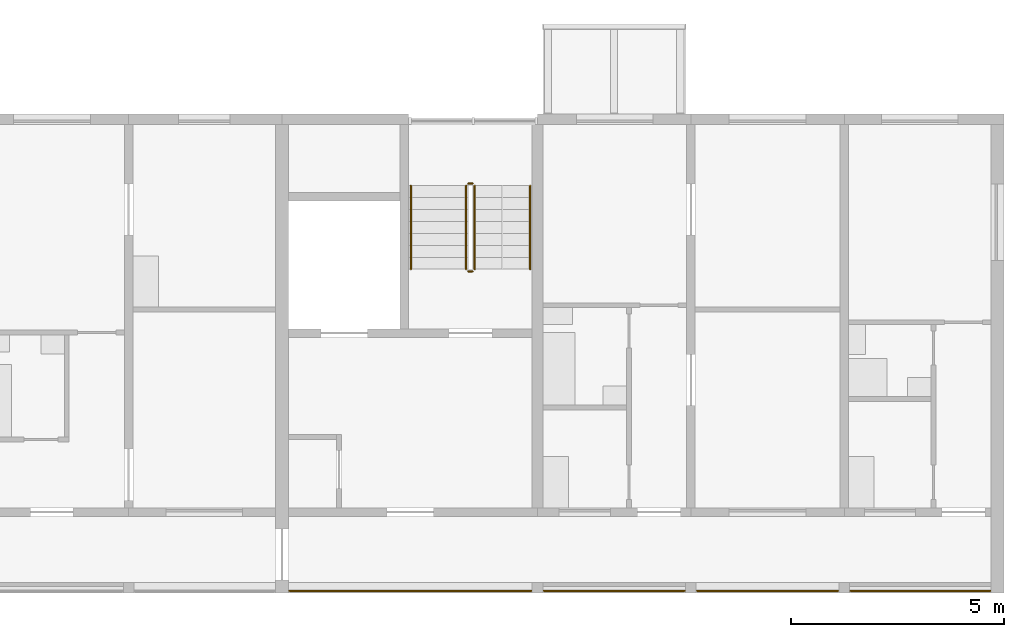
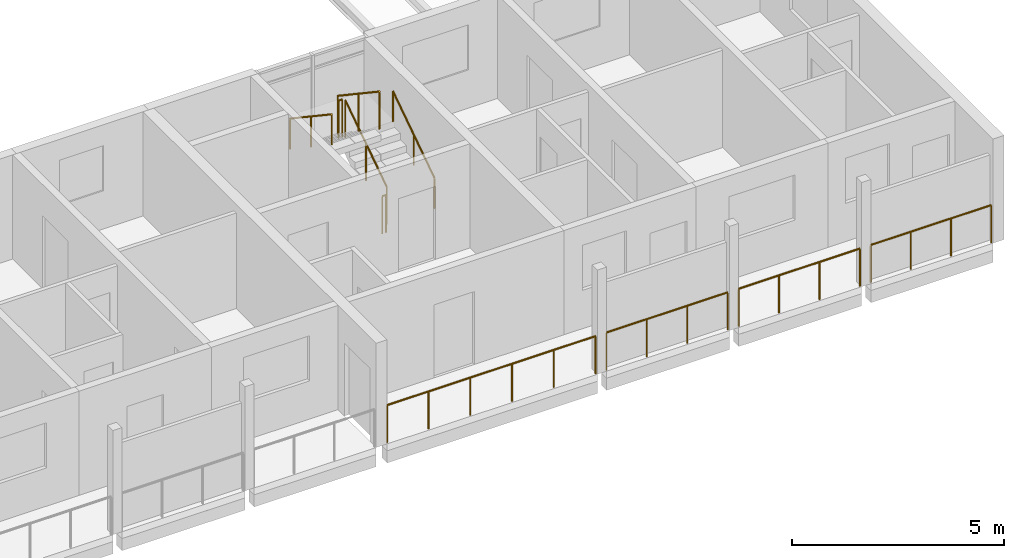
# One storey, part 60 of 64: 10 railings.
"""IFC4 building model written with IfcOpenShell, lengths in metres."""

from ifc_helpers import new_model, si_unit, direction, frame, origin, origin_2d, place, context, subcontext, project, spatial, circle, extrude, material, type_object, element, save


model = new_model("IFC4")

# Units and contexts
model_context = context("Model", 3, precision=1e-05, world=origin(), true_north=direction((0.0, 1.0)))
body_context = subcontext(model_context, "Body", "Model", "MODEL_VIEW")
ifc_project = project(units=[si_unit("LENGTHUNIT", "METRE"), si_unit("AREAUNIT", "SQUARE_METRE"), si_unit("VOLUMEUNIT", "CUBIC_METRE"), si_unit("PLANEANGLEUNIT", "RADIAN"), si_unit("MASSUNIT", "GRAM", prefix="KILO")], contexts=[model_context])

# Site, building, storey
site_placement = place(None, origin())
site = spatial("IfcSite", under=ifc_project, at=site_placement, CompositionType="ELEMENT")
building_placement = place(site_placement, origin())
building = spatial("IfcBuilding", under=site, at=building_placement, Name="Ridgestep Commons", CompositionType="ELEMENT")
storey_placement = place(building_placement, frame((0.0, 0.0, 33.0)))
storey = spatial("IfcBuildingStorey", under=building, at=storey_placement, Name="L11", CompositionType="ELEMENT", Elevation=33.0)

# Railings
ifc_material_1 = material(Name="Structural steel S355JR", Category="steel")
railing_type_1 = type_object("IfcRailingType", Name="Guard 1100", PredefinedType="GUARDRAIL", material=ifc_material_1)
railing_1_placement = place(storey_placement, frame((230.970947265625, 11.800048828125, 0.0)))
element("IfcRailing", 1, at=railing_1_placement, inside=storey, type_object=railing_type_1, Name="Gallery guard D 11.19", PredefinedType="GUARDRAIL", context=body_context, shape_type="SweptSolid", body=[
    extrude(circle(Radius=0.02392578125, at=origin_2d()), frame((0.0, 0.0, 1.076171875), z_axis=(1.0, 0.0, 0.0), x_axis=(0.0, 1.0, 0.0)), (0.0, 0.0, 1.0), 5.68310546875),
    extrude(circle(Radius=0.02099609375, at=origin_2d()), origin(), (0.0, 0.0, 1.0), 1.052001953125),
    extrude(circle(Radius=0.02099609375, at=origin_2d()), frame((1.13671875, 0.0, 0.0)), (0.0, 0.0, 1.0), 1.052001953125),
    extrude(circle(Radius=0.02099609375, at=origin_2d()), frame((2.273193359375, 0.0, 0.0)), (0.0, 0.0, 1.0), 1.052001953125),
    extrude(circle(Radius=0.02099609375, at=origin_2d()), frame((3.409912109375, 0.0, 0.0)), (0.0, 0.0, 1.0), 1.052001953125),
    extrude(circle(Radius=0.02099609375, at=origin_2d()), frame((4.54638671875, 0.0, 0.0)), (0.0, 0.0, 1.0), 1.052001953125),
    extrude(circle(Radius=0.02099609375, at=origin_2d()), frame((5.68310546875, 0.0, 0.0)), (0.0, 0.0, 1.0), 1.052001953125),
])
railing_2_placement = place(storey_placement, frame((236.946044921875, 11.800048828125, 0.0)))
element("IfcRailing", 2, at=railing_2_placement, inside=storey, type_object=railing_type_1, Name="Gallery guard D 11.20", PredefinedType="GUARDRAIL", context=body_context, shape_type="SweptSolid", body=[
    extrude(circle(Radius=0.02392578125, at=origin_2d()), frame((0.0, 0.0, 1.076171875), z_axis=(1.0, 0.0, 0.0), x_axis=(0.0, 1.0, 0.0)), (0.0, 0.0, 1.0), 3.307861328125),
    extrude(circle(Radius=0.02099609375, at=origin_2d()), origin(), (0.0, 0.0, 1.0), 1.052001953125),
    extrude(circle(Radius=0.02099609375, at=origin_2d()), frame((1.1025390625, 0.0, 0.0)), (0.0, 0.0, 1.0), 1.052001953125),
    extrude(circle(Radius=0.02099609375, at=origin_2d()), frame((2.205322265625, 0.0, 0.0)), (0.0, 0.0, 1.0), 1.052001953125),
    extrude(circle(Radius=0.02099609375, at=origin_2d()), frame((3.307861328125, 0.0, 0.0)), (0.0, 0.0, 1.0), 1.052001953125),
])
railing_3_placement = place(storey_placement, frame((240.5458984375, 11.800048828125, 0.0)))
element("IfcRailing", 3, at=railing_3_placement, inside=storey, type_object=railing_type_1, Name="Gallery guard D 11.21", PredefinedType="GUARDRAIL", context=body_context, shape_type="SweptSolid", body=[
    extrude(circle(Radius=0.02392578125, at=origin_2d()), frame((0.0, 0.0, 1.076171875), z_axis=(1.0, 0.0, 0.0), x_axis=(0.0, 1.0, 0.0)), (0.0, 0.0, 1.0), 3.30810546875),
    extrude(circle(Radius=0.02099609375, at=origin_2d()), origin(), (0.0, 0.0, 1.0), 1.052001953125),
    extrude(circle(Radius=0.02099609375, at=origin_2d()), frame((1.102783203125, 0.0, 0.0)), (0.0, 0.0, 1.0), 1.052001953125),
    extrude(circle(Radius=0.02099609375, at=origin_2d()), frame((2.205322265625, 0.0, 0.0)), (0.0, 0.0, 1.0), 1.052001953125),
    extrude(circle(Radius=0.02099609375, at=origin_2d()), frame((3.30810546875, 0.0, 0.0)), (0.0, 0.0, 1.0), 1.052001953125),
])
railing_4_placement = place(storey_placement, frame((244.14599609375, 11.800048828125, 0.0)))
element("IfcRailing", 4, at=railing_4_placement, inside=storey, type_object=railing_type_1, Name="Gallery guard D 11.22", PredefinedType="GUARDRAIL", context=body_context, shape_type="SweptSolid", body=[
    extrude(circle(Radius=0.02392578125, at=origin_2d()), frame((0.0, 0.0, 1.076171875), z_axis=(1.0, 0.0, 0.0), x_axis=(0.0, 1.0, 0.0)), (0.0, 0.0, 1.0), 3.282958984375),
    extrude(circle(Radius=0.02099609375, at=origin_2d()), origin(), (0.0, 0.0, 1.0), 1.052001953125),
    extrude(circle(Radius=0.02099609375, at=origin_2d()), frame((1.09423828125, 0.0, 0.0)), (0.0, 0.0, 1.0), 1.052001953125),
    extrude(circle(Radius=0.02099609375, at=origin_2d()), frame((2.188720703125, 0.0, 0.0)), (0.0, 0.0, 1.0), 1.052001953125),
    extrude(circle(Radius=0.02099609375, at=origin_2d()), frame((3.282958984375, 0.0, 0.0)), (0.0, 0.0, 1.0), 1.052001953125),
])
ifc_material_2 = material(Name="Structural steel S355JR", Category="steel")
railing_type_2 = type_object("IfcRailingType", Name="Stair guard 1100", PredefinedType="GUARDRAIL", material=ifc_material_2)
railing_5_placement = place(storey_placement, frame((235.324951171875, 19.35009765625, 0.1875)))
element("IfcRailing", 5, at=railing_5_placement, inside=storey, type_object=railing_type_2, Name="L11 D6C stair guard 1", PredefinedType="GUARDRAIL", context=body_context, shape_type="SweptSolid", body=[
    extrude(circle(Radius=0.02392578125, at=origin_2d()), frame((0.0, 0.0, 1.076171875), z_axis=(0.0, 0.830902050051, 0.556418712142), x_axis=(-1.0, 0.0, 0.0)), (0.0, 0.0, 1.0), 2.35888671875),
    extrude(circle(Radius=0.02099609375, at=origin_2d()), origin(), (0.0, 0.0, 1.0), 1.052001953125),
    extrude(circle(Radius=0.02099609375, at=origin_2d()), frame((0.0, 0.97998046875, 0.65625)), (0.0, 0.0, 1.0), 1.052001953125),
    extrude(circle(Radius=0.02099609375, at=origin_2d()), frame((0.0, 1.9599609375, 1.3125)), (0.0, 0.0, 1.0), 1.052001953125),
])
railing_6_placement = place(storey_placement, frame((235.27490234375, 21.360107421875, 1.5)))
element("IfcRailing", 6, at=railing_6_placement, inside=storey, type_object=railing_type_2, Name="L11 D6C stair guard 2", PredefinedType="GUARDRAIL", context=body_context, shape_type="SweptSolid", body=[
    extrude(circle(Radius=0.02392578125, at=origin_2d()), frame((0.0, 0.0, 1.076171875), z_axis=(-1.0, 0.0, 0.0), x_axis=(0.0, -1.0, 0.0)), (0.0, 0.0, 1.0), 0.099853515625),
    extrude(circle(Radius=0.02099609375, at=origin_2d()), origin(), (0.0, 0.0, 1.0), 1.052001953125),
    extrude(circle(Radius=0.02099609375, at=origin_2d()), frame((-0.099853515625, 0.0, 0.0)), (0.0, 0.0, 1.0), 1.052001953125),
])
railing_7_placement = place(storey_placement, frame((235.125, 21.31005859375, 1.6875)))
element("IfcRailing", 7, at=railing_7_placement, inside=storey, type_object=railing_type_2, Name="L11 D6C stair guard 3", PredefinedType="GUARDRAIL", context=body_context, shape_type="SweptSolid", body=[
    extrude(circle(Radius=0.02392578125, at=origin_2d()), frame((0.0, 0.0, 1.076171875), z_axis=(0.0, -0.830902050051, 0.556418712142), x_axis=(1.0, 0.0, 0.0)), (0.0, 0.0, 1.0), 2.35888671875),
    extrude(circle(Radius=0.02099609375, at=origin_2d()), origin(), (0.0, 0.0, 1.0), 1.052001953125),
    extrude(circle(Radius=0.02099609375, at=origin_2d()), frame((0.0, -0.97998046875, 0.65625)), (0.0, 0.0, 1.0), 1.052001953125),
    extrude(circle(Radius=0.02099609375, at=origin_2d()), frame((0.0, -1.9599609375, 1.3125)), (0.0, 0.0, 1.0), 1.052001953125),
])
railing_8_placement = place(storey_placement, frame((235.27490234375, 19.300048828125, 0.0)))
element("IfcRailing", 8, at=railing_8_placement, inside=storey, type_object=railing_type_2, Name="L11 D6C stair guard 4", PredefinedType="GUARDRAIL", context=body_context, shape_type="SweptSolid", body=[
    extrude(circle(Radius=0.02392578125, at=origin_2d()), frame((0.0, 0.0, 1.076171875), z_axis=(-1.0, 0.0, 0.0), x_axis=(0.0, -1.0, 0.0)), (0.0, 0.0, 1.0), 0.099853515625),
    extrude(circle(Radius=0.02099609375, at=origin_2d()), origin(), (0.0, 0.0, 1.0), 1.052001953125),
    extrude(circle(Radius=0.02099609375, at=origin_2d()), frame((-0.099853515625, 0.0, 0.0)), (0.0, 0.0, 1.0), 1.052001953125),
])
ifc_material_3 = material(Name="Structural steel S355JR", Category="steel")
railing_type_3 = type_object("IfcRailingType", Name="Stair handrail 900", PredefinedType="HANDRAIL", material=ifc_material_3)
railing_9_placement = place(storey_placement, frame((236.625, 19.35009765625, 0.1875)))
element("IfcRailing", 9, at=railing_9_placement, inside=storey, type_object=railing_type_3, Name="L11 D6C stair handrail 1", PredefinedType="HANDRAIL", context=body_context, shape_type="SweptSolid", body=[
    extrude(circle(Radius=0.02392578125, at=origin_2d()), frame((0.0, 0.0, 0.8759765625), z_axis=(0.0, 0.830902050051, 0.556418712142), x_axis=(-1.0, 0.0, 0.0)), (0.0, 0.0, 1.0), 2.35888671875),
    extrude(circle(Radius=0.02099609375, at=origin_2d()), origin(), (0.0, 0.0, 1.0), 0.851806640625),
    extrude(circle(Radius=0.02099609375, at=origin_2d()), frame((0.0, 0.97998046875, 0.65625)), (0.0, 0.0, 1.0), 0.851806640625),
    extrude(circle(Radius=0.02099609375, at=origin_2d()), frame((0.0, 1.9599609375, 1.3125)), (0.0, 0.0, 1.0), 0.851806640625),
])
railing_10_placement = place(storey_placement, frame((233.824951171875, 21.31005859375, 1.6875)))
element("IfcRailing", 10, at=railing_10_placement, inside=storey, type_object=railing_type_3, Name="L11 D6C stair handrail 2", PredefinedType="HANDRAIL", context=body_context, shape_type="SweptSolid", body=[
    extrude(circle(Radius=0.02392578125, at=origin_2d()), frame((0.0, 0.0, 0.8759765625), z_axis=(0.0, -0.830902050051, 0.556418712142), x_axis=(1.0, 0.0, 0.0)), (0.0, 0.0, 1.0), 2.35888671875),
    extrude(circle(Radius=0.02099609375, at=origin_2d()), origin(), (0.0, 0.0, 1.0), 0.851806640625),
    extrude(circle(Radius=0.02099609375, at=origin_2d()), frame((0.0, -0.97998046875, 0.65625)), (0.0, 0.0, 1.0), 0.851806640625),
    extrude(circle(Radius=0.02099609375, at=origin_2d()), frame((0.0, -1.9599609375, 1.3125)), (0.0, 0.0, 1.0), 0.851806640625),
])

save(model, "model.ifc")
